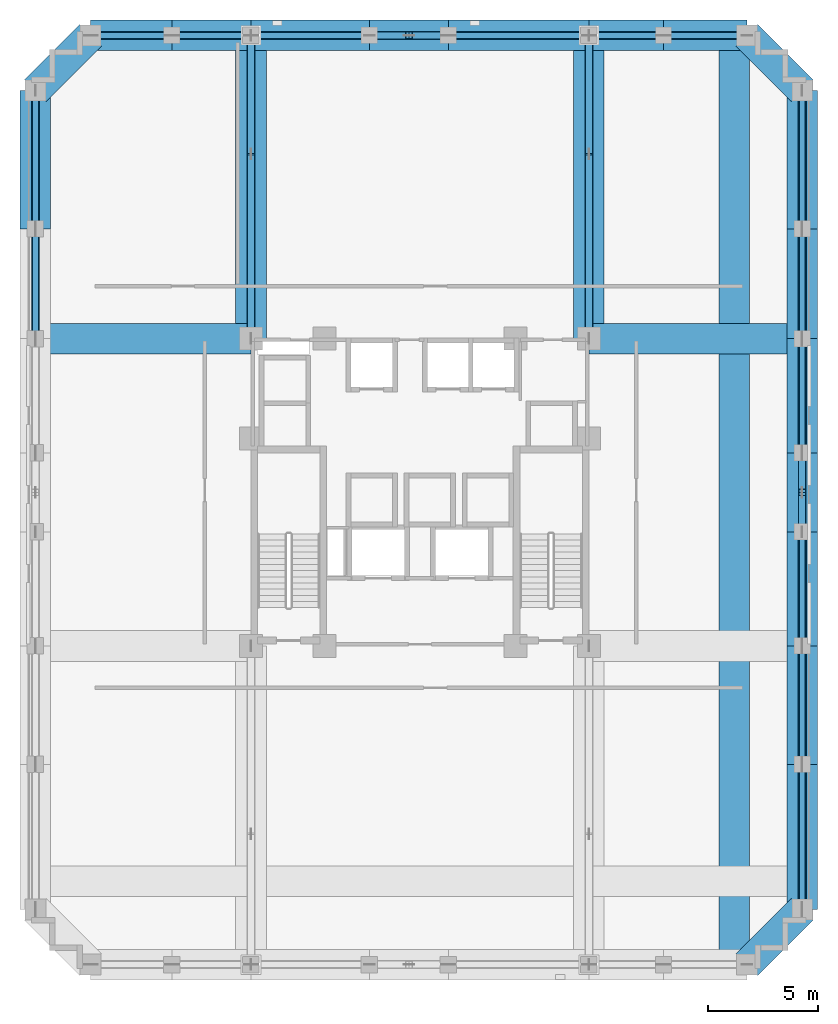
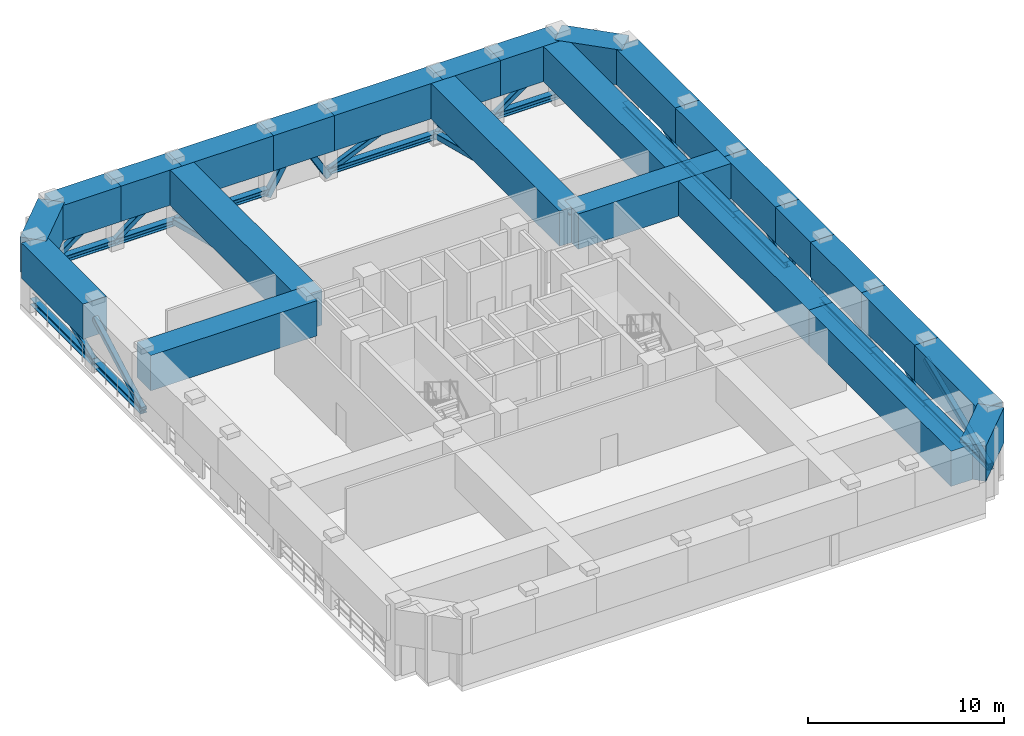
# One storey, part 2 of 11: 36 members, 25 beams.
"""IFC4 building model written with IfcOpenShell, lengths in metres."""

from ifc_helpers import new_model, si_unit, derived_unit, direction, frame, origin, origin_2d, place, context, subcontext, project, spatial, rectangle, hollow_rectangle, i_section, extrude, material, material_profile, profile_set, type_object, element, save


model = new_model("IFC4")

# Units and contexts
model_context = context("Model", 3, precision=1e-05, world=origin(), true_north=direction((0.0, 1.0)))
body_context = subcontext(model_context, "Body", "Model", "MODEL_VIEW")
ifc_project = project(units=[si_unit("LENGTHUNIT", "METRE"), si_unit("AREAUNIT", "SQUARE_METRE"), si_unit("VOLUMEUNIT", "CUBIC_METRE"), si_unit("PLANEANGLEUNIT", "RADIAN"), si_unit("MASSUNIT", "GRAM", prefix="KILO"), derived_unit("THERMALTRANSMITTANCEUNIT", [(si_unit("MASSUNIT", "GRAM", prefix="KILO"), 1), (si_unit("TIMEUNIT", "SECOND"), -3), (si_unit("THERMODYNAMICTEMPERATUREUNIT", "KELVIN"), -1)])], contexts=[model_context])

# Site, building, storey
site_placement = place(None, origin())
site = spatial("IfcSite", under=ifc_project, at=site_placement, CompositionType="ELEMENT")
building_placement = place(site_placement, origin())
building = spatial("IfcBuilding", under=site, at=building_placement, Name="Korrvale Station Residences", CompositionType="ELEMENT")
storey_placement = place(building_placement, frame((0.0, 0.0, 119.89990234375)))
storey = spatial("IfcBuildingStorey", under=building, at=storey_placement, Name="L34", CompositionType="ELEMENT", Elevation=119.89990234375)

# Beams
ifc_material_1 = material(Name="Concrete C60/75", Category="concrete")
ifc_material_profile_1 = material_profile(ifc_material_1, rectangle(XDim=1.39990234375, YDim=2.199951171875, at=origin_2d()), Name="RCB1400x2200")
ifc_profile_set_1 = profile_set([ifc_material_profile_1], Name="Concrete C60/75")
beam_type_1 = type_object("IfcBeamType", Name="BM-SPB-RCB1400x2200-C6075", PredefinedType="SPANDREL", material=ifc_profile_set_1)
beam_1_placement = place(storey_placement, frame((10.5, 42.820068359375, 3.080078125), z_axis=(1.0, 0.0, 0.0), x_axis=(0.0, 1.0, 0.0)))
element("IfcBeam", 1, at=beam_1_placement, inside=storey, type_object=beam_type_1, Name="L34 North Tube Spandrel 08", PredefinedType="SPANDREL", context=body_context, shape_type="SweptSolid", body=[
    extrude(rectangle(XDim=1.39990234375, YDim=2.199951171875, at=origin_2d()), origin(), (0.0, 0.0, 1.0), 3.699951171875),
])
beam_2_placement = place(storey_placement, frame((14.199951171875, 42.820068359375, 3.080078125), z_axis=(1.0, 0.0, 0.0), x_axis=(0.0, 1.0, 0.0)))
element("IfcBeam", 2, at=beam_2_placement, inside=storey, type_object=beam_type_1, Name="L34 North Tube Spandrel 09", PredefinedType="SPANDREL", context=body_context, shape_type="SweptSolid", body=[
    extrude(rectangle(XDim=1.39990234375, YDim=2.199951171875, at=origin_2d()), origin(), (0.0, 0.0, 1.0), 3.60009765625),
])
beam_3_placement = place(storey_placement, frame((17.800048828125, 42.820068359375, 3.080078125), z_axis=(1.0, 0.0, 0.0), x_axis=(0.0, 1.0, 0.0)))
element("IfcBeam", 3, at=beam_3_placement, inside=storey, type_object=beam_type_1, Name="L34 North Tube Spandrel 10", PredefinedType="SPANDREL", context=body_context, shape_type="SweptSolid", body=[
    extrude(rectangle(XDim=1.39990234375, YDim=2.199951171875, at=origin_2d()), origin(), (0.0, 0.0, 1.0), 5.39990234375),
])
beam_4_placement = place(storey_placement, frame((23.199951171875, 42.820068359375, 3.080078125), z_axis=(1.0, 0.0, 0.0), x_axis=(0.0, 1.0, 0.0)))
element("IfcBeam", 4, at=beam_4_placement, inside=storey, type_object=beam_type_1, Name="L34 North Tube Spandrel 11", PredefinedType="SPANDREL", context=body_context, shape_type="SweptSolid", body=[
    extrude(rectangle(XDim=1.39990234375, YDim=2.199951171875, at=origin_2d()), origin(), (0.0, 0.0, 1.0), 3.60009765625),
])
beam_5_placement = place(storey_placement, frame((26.800048828125, 42.820068359375, 3.080078125), z_axis=(1.0, 0.0, 0.0), x_axis=(0.0, 1.0, 0.0)))
element("IfcBeam", 5, at=beam_5_placement, inside=storey, type_object=beam_type_1, Name="L34 North Tube Spandrel 12", PredefinedType="SPANDREL", context=body_context, shape_type="SweptSolid", body=[
    extrude(rectangle(XDim=1.39990234375, YDim=2.199951171875, at=origin_2d()), origin(), (0.0, 0.0, 1.0), 6.39990234375),
])
beam_6_placement = place(storey_placement, frame((33.199951171875, 42.820068359375, 3.080078125), z_axis=(1.0, 0.0, 0.0), x_axis=(0.0, 1.0, 0.0)))
element("IfcBeam", 6, at=beam_6_placement, inside=storey, type_object=beam_type_1, Name="L34 North Tube Spandrel 13", PredefinedType="SPANDREL", context=body_context, shape_type="SweptSolid", body=[
    extrude(rectangle(XDim=1.39990234375, YDim=2.199951171875, at=origin_2d()), origin(), (0.0, 0.0, 1.0), 3.400146484375),
])
beam_7_placement = place(storey_placement, frame((36.60009765625, 42.820068359375, 3.080078125), z_axis=(1.0, 0.0, 0.0), x_axis=(0.0, 1.0, 0.0)))
element("IfcBeam", 7, at=beam_7_placement, inside=storey, type_object=beam_type_1, Name="L34 North Tube Spandrel 14", PredefinedType="SPANDREL", context=body_context, shape_type="SweptSolid", body=[
    extrude(rectangle(XDim=1.39990234375, YDim=2.199951171875, at=origin_2d()), origin(), (0.0, 0.0, 1.0), 3.7998046875),
])
beam_8_placement = place(storey_placement, frame((7.97998046875, 34.0, 3.080078125), z_axis=(0.0, 1.0, 0.0), x_axis=(-1.0, 0.0, 0.0)))
element("IfcBeam", 8, at=beam_8_placement, inside=storey, type_object=beam_type_1, Name="L34 West Tube Spandrel 21", PredefinedType="SPANDREL", context=body_context, shape_type="SweptSolid", body=[
    extrude(rectangle(XDim=1.39990234375, YDim=2.199951171875, at=origin_2d()), origin(), (0.0, 0.0, 1.0), 6.300048828125),
])
beam_9_placement = place(storey_placement, frame((42.919921875, 3.0, 3.080078125), z_axis=(0.0, 1.0, 0.0), x_axis=(-1.0, 0.0, 0.0)))
element("IfcBeam", 9, at=beam_9_placement, inside=storey, type_object=beam_type_1, Name="L34 East Tube Spandrel 22", PredefinedType="SPANDREL", context=body_context, shape_type="SweptSolid", body=[
    extrude(rectangle(XDim=1.39990234375, YDim=2.199951171875, at=origin_2d()), origin(), (0.0, 0.0, 1.0), 6.60009765625),
])
beam_10_placement = place(storey_placement, frame((42.919921875, 9.60009765625, 3.080078125), z_axis=(0.0, 1.0, 0.0), x_axis=(-1.0, 0.0, 0.0)))
element("IfcBeam", 10, at=beam_10_placement, inside=storey, type_object=beam_type_1, Name="L34 East Tube Spandrel 23", PredefinedType="SPANDREL", context=body_context, shape_type="SweptSolid", body=[
    extrude(rectangle(XDim=1.39990234375, YDim=2.199951171875, at=origin_2d()), origin(), (0.0, 0.0, 1.0), 5.39990234375),
])
beam_11_placement = place(storey_placement, frame((42.919921875, 15.0, 3.080078125), z_axis=(0.0, 1.0, 0.0), x_axis=(-1.0, 0.0, 0.0)))
element("IfcBeam", 11, at=beam_11_placement, inside=storey, type_object=beam_type_1, Name="L34 East Tube Spandrel 24", PredefinedType="SPANDREL", context=body_context, shape_type="SweptSolid", body=[
    extrude(rectangle(XDim=1.39990234375, YDim=2.199951171875, at=origin_2d()), origin(), (0.0, 0.0, 1.0), 5.199951171875),
])
beam_12_placement = place(storey_placement, frame((42.919921875, 20.199951171875, 3.080078125), z_axis=(0.0, 1.0, 0.0), x_axis=(-1.0, 0.0, 0.0)))
element("IfcBeam", 12, at=beam_12_placement, inside=storey, type_object=beam_type_1, Name="L34 East Tube Spandrel 25", PredefinedType="SPANDREL", context=body_context, shape_type="SweptSolid", body=[
    extrude(rectangle(XDim=1.39990234375, YDim=2.199951171875, at=origin_2d()), origin(), (0.0, 0.0, 1.0), 3.60009765625),
])
beam_13_placement = place(storey_placement, frame((42.919921875, 23.800048828125, 3.080078125), z_axis=(0.0, 1.0, 0.0), x_axis=(-1.0, 0.0, 0.0)))
element("IfcBeam", 13, at=beam_13_placement, inside=storey, type_object=beam_type_1, Name="L34 East Tube Spandrel 26", PredefinedType="SPANDREL", context=body_context, shape_type="SweptSolid", body=[
    extrude(rectangle(XDim=1.39990234375, YDim=2.199951171875, at=origin_2d()), origin(), (0.0, 0.0, 1.0), 5.199951171875),
])
beam_14_placement = place(storey_placement, frame((42.919921875, 29.0, 3.080078125), z_axis=(0.0, 1.0, 0.0), x_axis=(-1.0, 0.0, 0.0)))
element("IfcBeam", 14, at=beam_14_placement, inside=storey, type_object=beam_type_1, Name="L34 East Tube Spandrel 27", PredefinedType="SPANDREL", context=body_context, shape_type="SweptSolid", body=[
    extrude(rectangle(XDim=1.39990234375, YDim=2.199951171875, at=origin_2d()), origin(), (0.0, 0.0, 1.0), 5.0),
])
beam_15_placement = place(storey_placement, frame((42.919921875, 34.0, 3.080078125), z_axis=(0.0, 1.0, 0.0), x_axis=(-1.0, 0.0, 0.0)))
element("IfcBeam", 15, at=beam_15_placement, inside=storey, type_object=beam_type_1, Name="L34 East Tube Spandrel 28", PredefinedType="SPANDREL", context=body_context, shape_type="SweptSolid", body=[
    extrude(rectangle(XDim=1.39990234375, YDim=2.199951171875, at=origin_2d()), origin(), (0.0, 0.0, 1.0), 6.300048828125),
])
for number, where, z_axis, x_axis, name in (
    (16, (40.39990234375, 0.47998046875, 3.080078125), (0.707106781187, 0.707106781187, 0.0), (-0.707106781187, 0.707106781187, 0.0), "L34 Serrated Corner Spandrel 30"),
    (17, (40.39990234375, 42.820068359375, 3.080078125), (0.707106781187, -0.707106781187, 0.0), (0.707106781187, 0.707106781187, 0.0), "L34 Serrated Corner Spandrel 31"),
    (18, (10.5, 42.820068359375, 3.080078125), (-0.707106781187, -0.707106781187, 0.0), (0.707106781187, -0.707106781187, 0.0), "L34 Serrated Corner Spandrel 32"),
):
    element("IfcBeam", number, at=place(storey_placement, frame(where, z_axis=z_axis, x_axis=x_axis)), inside=storey, type_object=beam_type_1, Name=name, PredefinedType="SPANDREL", context=body_context, shape_type="SweptSolid", body=[
        extrude(rectangle(XDim=1.39990234375, YDim=2.199951171875, at=origin_2d()), origin(), (0.0, 0.0, 1.0), 3.56396484375),
    ])
ifc_material_profile_2 = material_profile(ifc_material_1, rectangle(XDim=1.39990234375, YDim=2.199951171875, at=origin_2d()), Name="RCB1400x2200")
ifc_profile_set_2 = profile_set([ifc_material_profile_2], Name="Concrete C60/75")
beam_type_2 = type_object("IfcBeamType", Name="BM-TG-RCB1400x2200-C6075", PredefinedType="USERDEFINED", material=ifc_profile_set_2)
for number, where, z_axis, x_axis, name in (
    (19, (17.800048828125, 29.0, 3.080078125), (0.0, 1.0, 0.0), (-1.0, 0.0, 0.0), "TG2 L34 Bundled-Tube Transfer Web Girder 03"),
    (20, (33.199951171875, 29.0, 3.080078125), (0.0, 1.0, 0.0), (-1.0, 0.0, 0.0), "TG2 L34 Bundled-Tube Transfer Web Girder 04"),
):
    element("IfcBeam", number, at=place(storey_placement, frame(where, z_axis=z_axis, x_axis=x_axis)), inside=storey, type_object=beam_type_2, Name=name, ObjectType="TRANSFER GIRDER", PredefinedType="USERDEFINED", context=body_context, shape_type="SweptSolid", body=[
        extrude(rectangle(XDim=1.39990234375, YDim=2.199951171875, at=origin_2d()), origin(), (0.0, 0.0, 1.0), 13.820068359375),
    ])
beam_16_placement = place(storey_placement, frame((7.97998046875, 29.0, 3.080078125), z_axis=(1.0, 0.0, 0.0), x_axis=(0.0, 1.0, 0.0)))
element("IfcBeam", 21, at=beam_16_placement, inside=storey, type_object=beam_type_2, Name="TG2 L34 Bundled-Tube Transfer Web Girder 07", ObjectType="TRANSFER GIRDER", PredefinedType="USERDEFINED", context=body_context, shape_type="SweptSolid", body=[
    extrude(rectangle(XDim=1.39990234375, YDim=2.199951171875, at=origin_2d()), origin(), (0.0, 0.0, 1.0), 9.820068359375),
])
beam_17_placement = place(storey_placement, frame((33.199951171875, 29.0, 3.080078125), z_axis=(1.0, 0.0, 0.0), x_axis=(0.0, 1.0, 0.0)))
element("IfcBeam", 22, at=beam_17_placement, inside=storey, type_object=beam_type_2, Name="TG2 L34 Bundled-Tube Transfer Web Girder 08", ObjectType="TRANSFER GIRDER", PredefinedType="USERDEFINED", context=body_context, shape_type="SweptSolid", body=[
    extrude(rectangle(XDim=1.39990234375, YDim=2.199951171875, at=origin_2d()), origin(), (0.0, 0.0, 1.0), 9.719970703125),
])
beam_18_placement = place(storey_placement, frame((39.820068359375, 0.47998046875, 3.080078125), z_axis=(0.0, 1.0, 0.0), x_axis=(-1.0, 0.0, 0.0)))
element("IfcBeam", 23, at=beam_18_placement, inside=storey, type_object=beam_type_2, Name="TG2 L34 Setback Perimeter Transfer Girder 04", ObjectType="TRANSFER GIRDER", PredefinedType="USERDEFINED", context=body_context, shape_type="SweptSolid", body=[
    extrude(rectangle(XDim=1.39990234375, YDim=2.199951171875, at=origin_2d()), origin(), (0.0, 0.0, 1.0), 14.52001953125),
])
beam_19_placement = place(storey_placement, frame((39.820068359375, 15.0, 3.080078125), z_axis=(0.0, 1.0, 0.0), x_axis=(-1.0, 0.0, 0.0)))
element("IfcBeam", 24, at=beam_19_placement, inside=storey, type_object=beam_type_2, Name="TG2 L34 Setback Perimeter Transfer Girder 05", ObjectType="TRANSFER GIRDER", PredefinedType="USERDEFINED", context=body_context, shape_type="SweptSolid", body=[
    extrude(rectangle(XDim=1.39990234375, YDim=2.199951171875, at=origin_2d()), origin(), (0.0, 0.0, 1.0), 14.0),
])
beam_20_placement = place(storey_placement, frame((39.820068359375, 29.0, 3.080078125), z_axis=(0.0, 1.0, 0.0), x_axis=(-1.0, 0.0, 0.0)))
element("IfcBeam", 25, at=beam_20_placement, inside=storey, type_object=beam_type_2, Name="TG2 L34 Setback Perimeter Transfer Girder 06", ObjectType="TRANSFER GIRDER", PredefinedType="USERDEFINED", context=body_context, shape_type="SweptSolid", body=[
    extrude(rectangle(XDim=1.39990234375, YDim=2.199951171875, at=origin_2d()), origin(), (0.0, 0.0, 1.0), 13.820068359375),
])

# Members
ifc_material_2 = material(Name="Steel S355", Category="steel")
ifc_material_profile_3 = material_profile(ifc_material_2, hollow_rectangle(XDim=0.3046875, YDim=0.3046875, WallThickness=0.015869140625, InnerFilletRadius=0.015869140625, OuterFilletRadius=0.03173828125, at=origin_2d()), Name="HSS305x305x16")
ifc_profile_set_3 = profile_set([ifc_material_profile_3], Name="Steel S355")
member_type_1 = type_object("IfcMemberType", Name="MBR-BR-BT-HSS305x305x16", PredefinedType="BRACE", material=ifc_profile_set_3)
member_1_placement = place(storey_placement, frame((10.5, 42.820068359375, 0.35009765625), z_axis=(0.80259171482, 0.0, 0.596528741388), x_axis=(0.0, 1.0, 0.0)))
element("IfcMember", 26, at=member_1_placement, inside=storey, type_object=member_type_1, Name="L34 Belt Truss Web Diagonal 07", PredefinedType="BRACE", context=body_context, shape_type="SweptSolid", body=[
    extrude(hollow_rectangle(XDim=0.3046875, YDim=0.3046875, WallThickness=0.015869140625, InnerFilletRadius=0.015869140625, OuterFilletRadius=0.03173828125, at=origin_2d()), origin(), (0.0, 0.0, 1.0), 4.610107421875),
])
member_2_placement = place(storey_placement, frame((14.199951171875, 42.820068359375, 0.35009765625), z_axis=(0.794678950836, 0.0, 0.607029954036), x_axis=(0.0, 1.0, 0.0)))
element("IfcMember", 27, at=member_2_placement, inside=storey, type_object=member_type_1, Name="L34 Belt Truss Web Diagonal 08", PredefinedType="BRACE", context=body_context, shape_type="SweptSolid", body=[
    extrude(hollow_rectangle(XDim=0.3046875, YDim=0.3046875, WallThickness=0.015869140625, InnerFilletRadius=0.015869140625, OuterFilletRadius=0.03173828125, at=origin_2d()), origin(), (0.0, 0.0, 1.0), 4.5302734375),
])
member_3_placement = place(storey_placement, frame((17.800048828125, 42.820068359375, 0.35009765625), z_axis=(0.891099136061, 0.0, 0.453808692856), x_axis=(0.0, 1.0, 0.0)))
element("IfcMember", 28, at=member_3_placement, inside=storey, type_object=member_type_1, Name="L34 Belt Truss Web Diagonal 09", PredefinedType="BRACE", context=body_context, shape_type="SweptSolid", body=[
    extrude(hollow_rectangle(XDim=0.3046875, YDim=0.3046875, WallThickness=0.015869140625, InnerFilletRadius=0.015869140625, OuterFilletRadius=0.03173828125, at=origin_2d()), origin(), (0.0, 0.0, 1.0), 6.059814453125),
])
member_4_placement = place(storey_placement, frame((26.800048828125, 42.820068359375, 0.35009765625), z_axis=(0.918771165174, 0.0, 0.394790509061), x_axis=(0.0, 1.0, 0.0)))
element("IfcMember", 29, at=member_4_placement, inside=storey, type_object=member_type_1, Name="L34 Belt Truss Web Diagonal 10", PredefinedType="BRACE", context=body_context, shape_type="SweptSolid", body=[
    extrude(hollow_rectangle(XDim=0.3046875, YDim=0.3046875, WallThickness=0.015869140625, InnerFilletRadius=0.015869140625, OuterFilletRadius=0.03173828125, at=origin_2d()), origin(), (0.0, 0.0, 1.0), 6.9658203125),
])
member_5_placement = place(storey_placement, frame((33.199951171875, 42.820068359375, 0.35009765625), z_axis=(0.777524319182, 0.0, 0.628852870774), x_axis=(0.0, 1.0, 0.0)))
element("IfcMember", 30, at=member_5_placement, inside=storey, type_object=member_type_1, Name="L34 Belt Truss Web Diagonal 11", PredefinedType="BRACE", context=body_context, shape_type="SweptSolid", body=[
    extrude(hollow_rectangle(XDim=0.3046875, YDim=0.3046875, WallThickness=0.015869140625, InnerFilletRadius=0.015869140625, OuterFilletRadius=0.03173828125, at=origin_2d()), origin(), (0.0, 0.0, 1.0), 4.373046875),
])
member_6_placement = place(storey_placement, frame((36.60009765625, 42.820068359375, 0.35009765625), z_axis=(0.810102381804, 0.0, 0.58628843669), x_axis=(0.0, 1.0, 0.0)))
element("IfcMember", 31, at=member_6_placement, inside=storey, type_object=member_type_1, Name="L34 Belt Truss Web Diagonal 12", PredefinedType="BRACE", context=body_context, shape_type="SweptSolid", body=[
    extrude(hollow_rectangle(XDim=0.3046875, YDim=0.3046875, WallThickness=0.015869140625, InnerFilletRadius=0.015869140625, OuterFilletRadius=0.03173828125, at=origin_2d()), origin(), (0.0, 0.0, 1.0), 4.6904296875),
])
member_7_placement = place(storey_placement, frame((7.97998046875, 29.0, 0.35009765625), z_axis=(0.0, 0.876215908677, 0.481918749772), x_axis=(-1.0, 0.0, 0.0)))
element("IfcMember", 32, at=member_7_placement, inside=storey, type_object=member_type_1, Name="L34 Belt Truss Web Diagonal 17", PredefinedType="BRACE", context=body_context, shape_type="SweptSolid", body=[
    extrude(hollow_rectangle(XDim=0.3046875, YDim=0.3046875, WallThickness=0.015869140625, InnerFilletRadius=0.015869140625, OuterFilletRadius=0.03173828125, at=origin_2d()), origin(), (0.0, 0.0, 1.0), 5.706298828125),
])
member_8_placement = place(storey_placement, frame((7.97998046875, 34.0, 0.35009765625), z_axis=(0.0, 0.916492030347, 0.400052944384), x_axis=(-1.0, 0.0, 0.0)))
element("IfcMember", 33, at=member_8_placement, inside=storey, type_object=member_type_1, Name="L34 Belt Truss Web Diagonal 18", PredefinedType="BRACE", context=body_context, shape_type="SweptSolid", body=[
    extrude(hollow_rectangle(XDim=0.3046875, YDim=0.3046875, WallThickness=0.015869140625, InnerFilletRadius=0.015869140625, OuterFilletRadius=0.03173828125, at=origin_2d()), origin(), (0.0, 0.0, 1.0), 6.8740234375),
])
member_9_placement = place(storey_placement, frame((42.919921875, 3.0, 0.35009765625), z_axis=(0.0, 0.923078943485, 0.3846105356), x_axis=(-1.0, 0.0, 0.0)))
element("IfcMember", 34, at=member_9_placement, inside=storey, type_object=member_type_1, Name="L34 Belt Truss Web Diagonal 19", PredefinedType="BRACE", context=body_context, shape_type="SweptSolid", body=[
    extrude(hollow_rectangle(XDim=0.3046875, YDim=0.3046875, WallThickness=0.015869140625, InnerFilletRadius=0.015869140625, OuterFilletRadius=0.03173828125, at=origin_2d()), origin(), (0.0, 0.0, 1.0), 7.150146484375),
])
member_10_placement = place(storey_placement, frame((42.919921875, 9.60009765625, 0.35009765625), z_axis=(0.0, 0.891099136061, 0.453808692856), x_axis=(-1.0, 0.0, 0.0)))
element("IfcMember", 35, at=member_10_placement, inside=storey, type_object=member_type_1, Name="L34 Belt Truss Web Diagonal 20", PredefinedType="BRACE", context=body_context, shape_type="SweptSolid", body=[
    extrude(hollow_rectangle(XDim=0.3046875, YDim=0.3046875, WallThickness=0.015869140625, InnerFilletRadius=0.015869140625, OuterFilletRadius=0.03173828125, at=origin_2d()), origin(), (0.0, 0.0, 1.0), 6.059814453125),
])
for number, where, z_axis, x_axis, name in (
    (36, (42.919921875, 15.0, 0.35009765625), (0.0, 0.883992771375, 0.467500567011), (-1.0, 0.0, 0.0), "L34 Belt Truss Web Diagonal 21"),
    (37, (42.919921875, 23.800048828125, 0.35009765625), (0.0, 0.883992771375, 0.467500567011), (-1.0, 0.0, 0.0), "L34 Belt Truss Web Diagonal 22"),
):
    element("IfcMember", number, at=place(storey_placement, frame(where, z_axis=z_axis, x_axis=x_axis)), inside=storey, type_object=member_type_1, Name=name, PredefinedType="BRACE", context=body_context, shape_type="SweptSolid", body=[
        extrude(hollow_rectangle(XDim=0.3046875, YDim=0.3046875, WallThickness=0.015869140625, InnerFilletRadius=0.015869140625, OuterFilletRadius=0.03173828125, at=origin_2d()), origin(), (0.0, 0.0, 1.0), 5.88232421875),
    ])
member_11_placement = place(storey_placement, frame((42.919921875, 29.0, 0.35009765625), z_axis=(0.0, 0.876215908677, 0.481918749772), x_axis=(-1.0, 0.0, 0.0)))
element("IfcMember", 38, at=member_11_placement, inside=storey, type_object=member_type_1, Name="L34 Belt Truss Web Diagonal 23", PredefinedType="BRACE", context=body_context, shape_type="SweptSolid", body=[
    extrude(hollow_rectangle(XDim=0.3046875, YDim=0.3046875, WallThickness=0.015869140625, InnerFilletRadius=0.015869140625, OuterFilletRadius=0.03173828125, at=origin_2d()), origin(), (0.0, 0.0, 1.0), 5.706298828125),
])
member_12_placement = place(storey_placement, frame((42.919921875, 34.0, 0.35009765625), z_axis=(0.0, 0.916492030347, 0.400052944384), x_axis=(-1.0, 0.0, 0.0)))
element("IfcMember", 39, at=member_12_placement, inside=storey, type_object=member_type_1, Name="L34 Belt Truss Web Diagonal 24", PredefinedType="BRACE", context=body_context, shape_type="SweptSolid", body=[
    extrude(hollow_rectangle(XDim=0.3046875, YDim=0.3046875, WallThickness=0.015869140625, InnerFilletRadius=0.015869140625, OuterFilletRadius=0.03173828125, at=origin_2d()), origin(), (0.0, 0.0, 1.0), 6.8740234375),
])
ifc_material_profile_4 = material_profile(ifc_material_2, hollow_rectangle(XDim=0.355712890625, YDim=0.355712890625, WallThickness=0.015869140625, InnerFilletRadius=0.015869140625, OuterFilletRadius=0.03173828125, at=origin_2d()), Name="HSS356x356x16")
ifc_profile_set_4 = profile_set([ifc_material_profile_4], Name="Steel S355")
member_type_2 = type_object("IfcMemberType", Name="MBR-BR-HSS356x356x16", PredefinedType="BRACE", material=ifc_profile_set_4)
for number, where, z_axis, x_axis, name in (
    (40, (23.199951171875, 42.820068359375, 0.02001953125), (0.504568681787, 0.0, 0.863371556955), (0.0, 1.0, 0.0), "L34 N Perimeter Tube Wind Brace 1"),
    (41, (26.800048828125, 42.820068359375, 0.02001953125), (-0.504568681787, 0.0, 0.863371556955), (0.0, -1.0, 0.0), "L34 N Perimeter Tube Wind Brace 2"),
    (42, (42.919921875, 20.199951171875, 0.02001953125), (0.0, 0.504568681787, 0.863371556955), (-1.0, 0.0, 0.0), "L34 E Perimeter Tube Wind Brace 1"),
    (43, (42.919921875, 23.800048828125, 0.02001953125), (0.0, -0.504568681787, 0.863371556955), (1.0, 0.0, 0.0), "L34 E Perimeter Tube Wind Brace 2"),
):
    element("IfcMember", number, at=place(storey_placement, frame(where, z_axis=z_axis, x_axis=x_axis)), inside=storey, type_object=member_type_2, Name=name, PredefinedType="BRACE", context=body_context, shape_type="SweptSolid", body=[
        extrude(hollow_rectangle(XDim=0.355712890625, YDim=0.355712890625, WallThickness=0.015869140625, InnerFilletRadius=0.015869140625, OuterFilletRadius=0.03173828125, at=origin_2d()), origin(), (0.0, 0.0, 1.0), 3.5673828125),
    ])
ifc_material_profile_5 = material_profile(ifc_material_2, hollow_rectangle(XDim=0.355712890625, YDim=0.355712890625, WallThickness=0.015869140625, InnerFilletRadius=0.015869140625, OuterFilletRadius=0.03173828125, at=origin_2d()), Name="HSS356x356x16")
ifc_profile_set_5 = profile_set([ifc_material_profile_5], Name="Steel S355")
member_type_3 = type_object("IfcMemberType", Name="MBR-BR-OT-HSS356x356x16", PredefinedType="BRACE", material=ifc_profile_set_5)
member_13_placement = place(storey_placement, frame((17.800048828125, 42.820068359375, 1.25), z_axis=(0.0, -0.983016514431, 0.183517117338), x_axis=(1.0, 0.0, 0.0)))
element("IfcMember", 44, at=member_13_placement, inside=storey, type_object=member_type_3, Name="L34 Outrigger Truss Diagonal 3A", PredefinedType="BRACE", context=body_context, shape_type="SweptSolid", body=[
    extrude(hollow_rectangle(XDim=0.355712890625, YDim=0.355712890625, WallThickness=0.015869140625, InnerFilletRadius=0.015869140625, OuterFilletRadius=0.03173828125, at=origin_2d()), origin(), (0.0, 0.0, 1.0), 5.503662109375),
])
member_14_placement = place(storey_placement, frame((17.800048828125, 42.820068359375, 0.35009765625), z_axis=(0.0, -0.968046270605, 0.250771645064), x_axis=(1.0, 0.0, 0.0)))
element("IfcMember", 45, at=member_14_placement, inside=storey, type_object=member_type_3, Name="L34 Outrigger Truss Diagonal 3B", PredefinedType="BRACE", context=body_context, shape_type="SweptSolid", body=[
    extrude(hollow_rectangle(XDim=0.355712890625, YDim=0.355712890625, WallThickness=0.015869140625, InnerFilletRadius=0.015869140625, OuterFilletRadius=0.03173828125, at=origin_2d()), origin(), (0.0, 0.0, 1.0), 14.2763671875),
])
member_15_placement = place(storey_placement, frame((33.199951171875, 42.820068359375, 1.25), z_axis=(0.0, -0.983016514431, 0.183517117338), x_axis=(1.0, 0.0, 0.0)))
element("IfcMember", 46, at=member_15_placement, inside=storey, type_object=member_type_3, Name="L34 Outrigger Truss Diagonal 4A", PredefinedType="BRACE", context=body_context, shape_type="SweptSolid", body=[
    extrude(hollow_rectangle(XDim=0.355712890625, YDim=0.355712890625, WallThickness=0.015869140625, InnerFilletRadius=0.015869140625, OuterFilletRadius=0.03173828125, at=origin_2d()), origin(), (0.0, 0.0, 1.0), 5.503662109375),
])
member_16_placement = place(storey_placement, frame((33.199951171875, 42.820068359375, 0.35009765625), z_axis=(0.0, -0.968046270605, 0.250771645064), x_axis=(1.0, 0.0, 0.0)))
element("IfcMember", 47, at=member_16_placement, inside=storey, type_object=member_type_3, Name="L34 Outrigger Truss Diagonal 4B", PredefinedType="BRACE", context=body_context, shape_type="SweptSolid", body=[
    extrude(hollow_rectangle(XDim=0.355712890625, YDim=0.355712890625, WallThickness=0.015869140625, InnerFilletRadius=0.015869140625, OuterFilletRadius=0.03173828125, at=origin_2d()), origin(), (0.0, 0.0, 1.0), 14.2763671875),
])
ifc_material_profile_6 = material_profile(ifc_material_2, i_section(OverallWidth=0.3740234375, OverallDepth=0.3720703125, WebThickness=0.016357421875, FlangeThickness=0.026123046875, FilletRadius=0.014892578125, at=origin_2d()), Name="W360x196")
ifc_profile_set_6 = profile_set([ifc_material_profile_6], Name="Steel S355")
member_type_4 = type_object("IfcMemberType", Name="MBR-CHD-BT-W360x196", PredefinedType="CHORD", material=ifc_profile_set_6)
member_17_placement = place(storey_placement, frame((10.5, 42.820068359375, 0.35009765625), z_axis=(1.0, 0.0, 0.0), x_axis=(0.0, 1.0, 0.0)))
element("IfcMember", 48, at=member_17_placement, inside=storey, type_object=member_type_4, Name="L34 Belt Truss Bottom Chord 07", PredefinedType="CHORD", context=body_context, shape_type="SweptSolid", body=[
    extrude(i_section(OverallWidth=0.3740234375, OverallDepth=0.3720703125, WebThickness=0.016357421875, FlangeThickness=0.026123046875, FilletRadius=0.014892578125, at=origin_2d()), origin(), (0.0, 0.0, 1.0), 3.699951171875),
])
member_18_placement = place(storey_placement, frame((14.199951171875, 42.820068359375, 0.35009765625), z_axis=(1.0, 0.0, 0.0), x_axis=(0.0, 1.0, 0.0)))
element("IfcMember", 49, at=member_18_placement, inside=storey, type_object=member_type_4, Name="L34 Belt Truss Bottom Chord 08", PredefinedType="CHORD", context=body_context, shape_type="SweptSolid", body=[
    extrude(i_section(OverallWidth=0.3740234375, OverallDepth=0.3720703125, WebThickness=0.016357421875, FlangeThickness=0.026123046875, FilletRadius=0.014892578125, at=origin_2d()), origin(), (0.0, 0.0, 1.0), 3.60009765625),
])
member_19_placement = place(storey_placement, frame((17.800048828125, 42.820068359375, 0.35009765625), z_axis=(1.0, 0.0, 0.0), x_axis=(0.0, 1.0, 0.0)))
element("IfcMember", 50, at=member_19_placement, inside=storey, type_object=member_type_4, Name="L34 Belt Truss Bottom Chord 09", PredefinedType="CHORD", context=body_context, shape_type="SweptSolid", body=[
    extrude(i_section(OverallWidth=0.3740234375, OverallDepth=0.3720703125, WebThickness=0.016357421875, FlangeThickness=0.026123046875, FilletRadius=0.014892578125, at=origin_2d()), origin(), (0.0, 0.0, 1.0), 5.39990234375),
])
member_20_placement = place(storey_placement, frame((26.800048828125, 42.820068359375, 0.35009765625), z_axis=(1.0, 0.0, 0.0), x_axis=(0.0, 1.0, 0.0)))
element("IfcMember", 51, at=member_20_placement, inside=storey, type_object=member_type_4, Name="L34 Belt Truss Bottom Chord 10", PredefinedType="CHORD", context=body_context, shape_type="SweptSolid", body=[
    extrude(i_section(OverallWidth=0.3740234375, OverallDepth=0.3720703125, WebThickness=0.016357421875, FlangeThickness=0.026123046875, FilletRadius=0.014892578125, at=origin_2d()), origin(), (0.0, 0.0, 1.0), 6.39990234375),
])
member_21_placement = place(storey_placement, frame((33.199951171875, 42.820068359375, 0.35009765625), z_axis=(1.0, 0.0, 0.0), x_axis=(0.0, 1.0, 0.0)))
element("IfcMember", 52, at=member_21_placement, inside=storey, type_object=member_type_4, Name="L34 Belt Truss Bottom Chord 11", PredefinedType="CHORD", context=body_context, shape_type="SweptSolid", body=[
    extrude(i_section(OverallWidth=0.3740234375, OverallDepth=0.3720703125, WebThickness=0.016357421875, FlangeThickness=0.026123046875, FilletRadius=0.014892578125, at=origin_2d()), origin(), (0.0, 0.0, 1.0), 3.400146484375),
])
member_22_placement = place(storey_placement, frame((36.60009765625, 42.820068359375, 0.35009765625), z_axis=(1.0, 0.0, 0.0), x_axis=(0.0, 1.0, 0.0)))
element("IfcMember", 53, at=member_22_placement, inside=storey, type_object=member_type_4, Name="L34 Belt Truss Bottom Chord 12", PredefinedType="CHORD", context=body_context, shape_type="SweptSolid", body=[
    extrude(i_section(OverallWidth=0.3740234375, OverallDepth=0.3720703125, WebThickness=0.016357421875, FlangeThickness=0.026123046875, FilletRadius=0.014892578125, at=origin_2d()), origin(), (0.0, 0.0, 1.0), 3.7998046875),
])
member_23_placement = place(storey_placement, frame((7.97998046875, 29.0, 0.35009765625), z_axis=(0.0, 1.0, 0.0), x_axis=(-1.0, 0.0, 0.0)))
element("IfcMember", 54, at=member_23_placement, inside=storey, type_object=member_type_4, Name="L34 Belt Truss Bottom Chord 17", PredefinedType="CHORD", context=body_context, shape_type="SweptSolid", body=[
    extrude(i_section(OverallWidth=0.3740234375, OverallDepth=0.3720703125, WebThickness=0.016357421875, FlangeThickness=0.026123046875, FilletRadius=0.014892578125, at=origin_2d()), origin(), (0.0, 0.0, 1.0), 5.0),
])
member_24_placement = place(storey_placement, frame((7.97998046875, 34.0, 0.35009765625), z_axis=(0.0, 1.0, 0.0), x_axis=(-1.0, 0.0, 0.0)))
element("IfcMember", 55, at=member_24_placement, inside=storey, type_object=member_type_4, Name="L34 Belt Truss Bottom Chord 18", PredefinedType="CHORD", context=body_context, shape_type="SweptSolid", body=[
    extrude(i_section(OverallWidth=0.3740234375, OverallDepth=0.3720703125, WebThickness=0.016357421875, FlangeThickness=0.026123046875, FilletRadius=0.014892578125, at=origin_2d()), origin(), (0.0, 0.0, 1.0), 6.300048828125),
])
member_25_placement = place(storey_placement, frame((42.919921875, 3.0, 0.35009765625), z_axis=(0.0, 1.0, 0.0), x_axis=(-1.0, 0.0, 0.0)))
element("IfcMember", 56, at=member_25_placement, inside=storey, type_object=member_type_4, Name="L34 Belt Truss Bottom Chord 19", PredefinedType="CHORD", context=body_context, shape_type="SweptSolid", body=[
    extrude(i_section(OverallWidth=0.3740234375, OverallDepth=0.3720703125, WebThickness=0.016357421875, FlangeThickness=0.026123046875, FilletRadius=0.014892578125, at=origin_2d()), origin(), (0.0, 0.0, 1.0), 6.60009765625),
])
member_26_placement = place(storey_placement, frame((42.919921875, 9.60009765625, 0.35009765625), z_axis=(0.0, 1.0, 0.0), x_axis=(-1.0, 0.0, 0.0)))
element("IfcMember", 57, at=member_26_placement, inside=storey, type_object=member_type_4, Name="L34 Belt Truss Bottom Chord 20", PredefinedType="CHORD", context=body_context, shape_type="SweptSolid", body=[
    extrude(i_section(OverallWidth=0.3740234375, OverallDepth=0.3720703125, WebThickness=0.016357421875, FlangeThickness=0.026123046875, FilletRadius=0.014892578125, at=origin_2d()), origin(), (0.0, 0.0, 1.0), 5.39990234375),
])
for number, where, z_axis, x_axis, name in (
    (58, (42.919921875, 15.0, 0.35009765625), (0.0, 1.0, 0.0), (-1.0, 0.0, 0.0), "L34 Belt Truss Bottom Chord 21"),
    (59, (42.919921875, 23.800048828125, 0.35009765625), (0.0, 1.0, 0.0), (-1.0, 0.0, 0.0), "L34 Belt Truss Bottom Chord 22"),
):
    element("IfcMember", number, at=place(storey_placement, frame(where, z_axis=z_axis, x_axis=x_axis)), inside=storey, type_object=member_type_4, Name=name, PredefinedType="CHORD", context=body_context, shape_type="SweptSolid", body=[
        extrude(i_section(OverallWidth=0.3740234375, OverallDepth=0.3720703125, WebThickness=0.016357421875, FlangeThickness=0.026123046875, FilletRadius=0.014892578125, at=origin_2d()), origin(), (0.0, 0.0, 1.0), 5.199951171875),
    ])
member_27_placement = place(storey_placement, frame((42.919921875, 29.0, 0.35009765625), z_axis=(0.0, 1.0, 0.0), x_axis=(-1.0, 0.0, 0.0)))
element("IfcMember", 60, at=member_27_placement, inside=storey, type_object=member_type_4, Name="L34 Belt Truss Bottom Chord 23", PredefinedType="CHORD", context=body_context, shape_type="SweptSolid", body=[
    extrude(i_section(OverallWidth=0.3740234375, OverallDepth=0.3720703125, WebThickness=0.016357421875, FlangeThickness=0.026123046875, FilletRadius=0.014892578125, at=origin_2d()), origin(), (0.0, 0.0, 1.0), 5.0),
])
member_28_placement = place(storey_placement, frame((42.919921875, 34.0, 0.35009765625), z_axis=(0.0, 1.0, 0.0), x_axis=(-1.0, 0.0, 0.0)))
element("IfcMember", 61, at=member_28_placement, inside=storey, type_object=member_type_4, Name="L34 Belt Truss Bottom Chord 24", PredefinedType="CHORD", context=body_context, shape_type="SweptSolid", body=[
    extrude(i_section(OverallWidth=0.3740234375, OverallDepth=0.3720703125, WebThickness=0.016357421875, FlangeThickness=0.026123046875, FilletRadius=0.014892578125, at=origin_2d()), origin(), (0.0, 0.0, 1.0), 6.300048828125),
])

save(model, "model.ifc")
